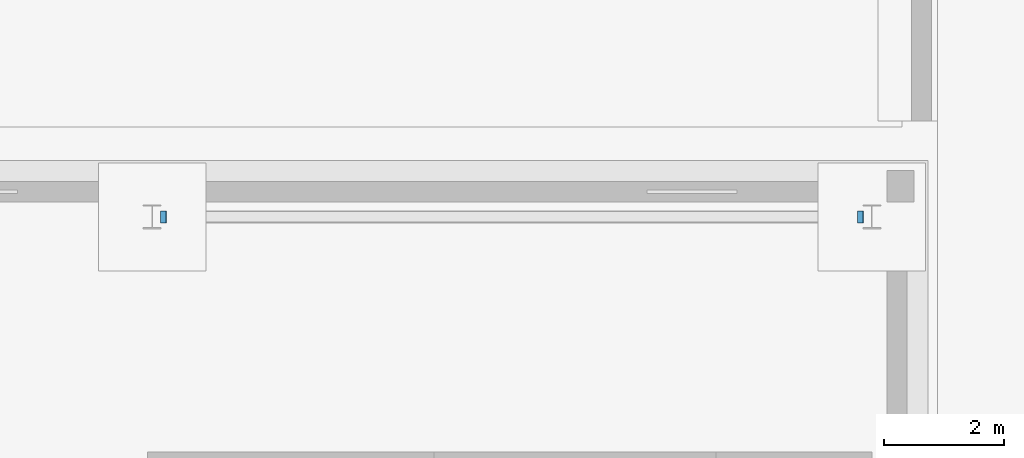
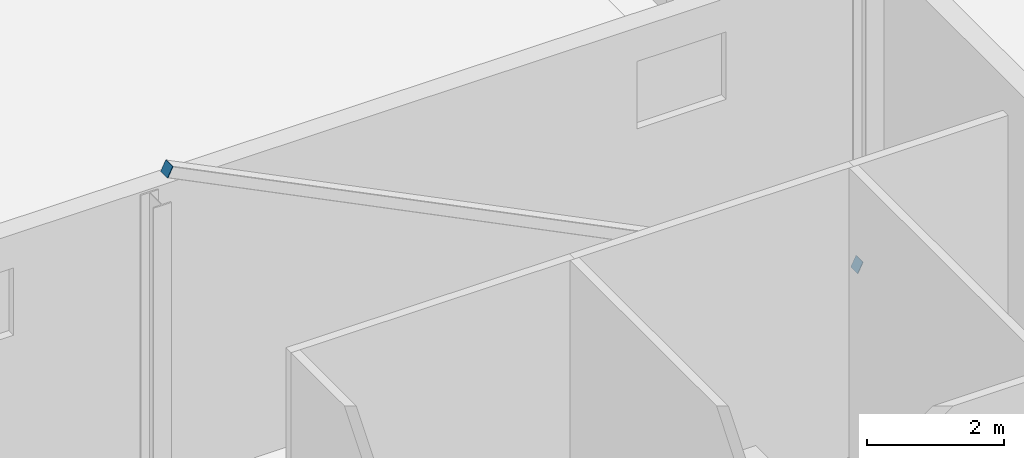
# One storey, part 121 of 132: 2 discrete accessories.
"""IFC4 building model written with IfcOpenShell, lengths in metres."""

from ifc_helpers import new_model, si_unit, direction, frame, origin, origin_2d, place, context, subcontext, project, spatial, rectangle, extrude, material, material_profile, profile_set, type_object, element, save


model = new_model("IFC4")

# Units and contexts
model_context = context("Model", 3, precision=1e-05, world=origin(), true_north=direction((0.0, 1.0)))
body_context = subcontext(model_context, "Body", "Model", "MODEL_VIEW")
ifc_project = project(units=[si_unit("LENGTHUNIT", "METRE"), si_unit("AREAUNIT", "SQUARE_METRE"), si_unit("VOLUMEUNIT", "CUBIC_METRE"), si_unit("PLANEANGLEUNIT", "RADIAN"), si_unit("MASSUNIT", "GRAM", prefix="KILO")], contexts=[model_context])

# Site, building, storey
site_placement = place(None, origin())
site = spatial("IfcSite", under=ifc_project, at=site_placement, CompositionType="ELEMENT")
building_placement = place(site_placement, origin())
building = spatial("IfcBuilding", under=site, at=building_placement, Name="Ravi Spectrum Wholesale Market", CompositionType="ELEMENT")
storey_placement = place(building_placement, origin())
storey = spatial("IfcBuildingStorey", under=building, at=storey_placement, Name="L00", CompositionType="ELEMENT", Elevation=0.0)

# Discrete accessories
ifc_material = material(Name="Steel S355", Category="steel")
ifc_material_profile = material_profile(ifc_material, rectangle(XDim=0.199951171875, YDim=0.199951171875, at=origin_2d()))
ifc_profile_set = profile_set([ifc_material_profile], Name="Steel S355")
discrete_accessory_type = type_object("IfcDiscreteAccessoryType", Name="End plate SHS 200x200x8", PredefinedType="BRACKET", material=ifc_profile_set)
for number, where, z_axis, x_axis, name in (
    (1, (282.194580078125, 186.0, 5.857421875), (-0.894427191, 0.0, 0.4472135955), (0.0, -1.0, 0.0), "End plate"),
    (2, (293.805419921875, 186.0, 0.089599609375), (0.894427191, 0.0, -0.4472135955), (0.0, 1.0, 0.0), "End plate"),
):
    element("IfcDiscreteAccessory", number, at=place(storey_placement, frame(where, z_axis=z_axis, x_axis=x_axis)), inside=storey, type_object=discrete_accessory_type, Name=name, PredefinedType="BRACKET", context=body_context, shape_type="SweptSolid", body=[
        extrude(rectangle(XDim=0.199951171875, YDim=0.199951171875, at=origin_2d()), origin(), (0.0, 0.0, 1.0), 0.011962890625),
    ])

save(model, "model.ifc")
